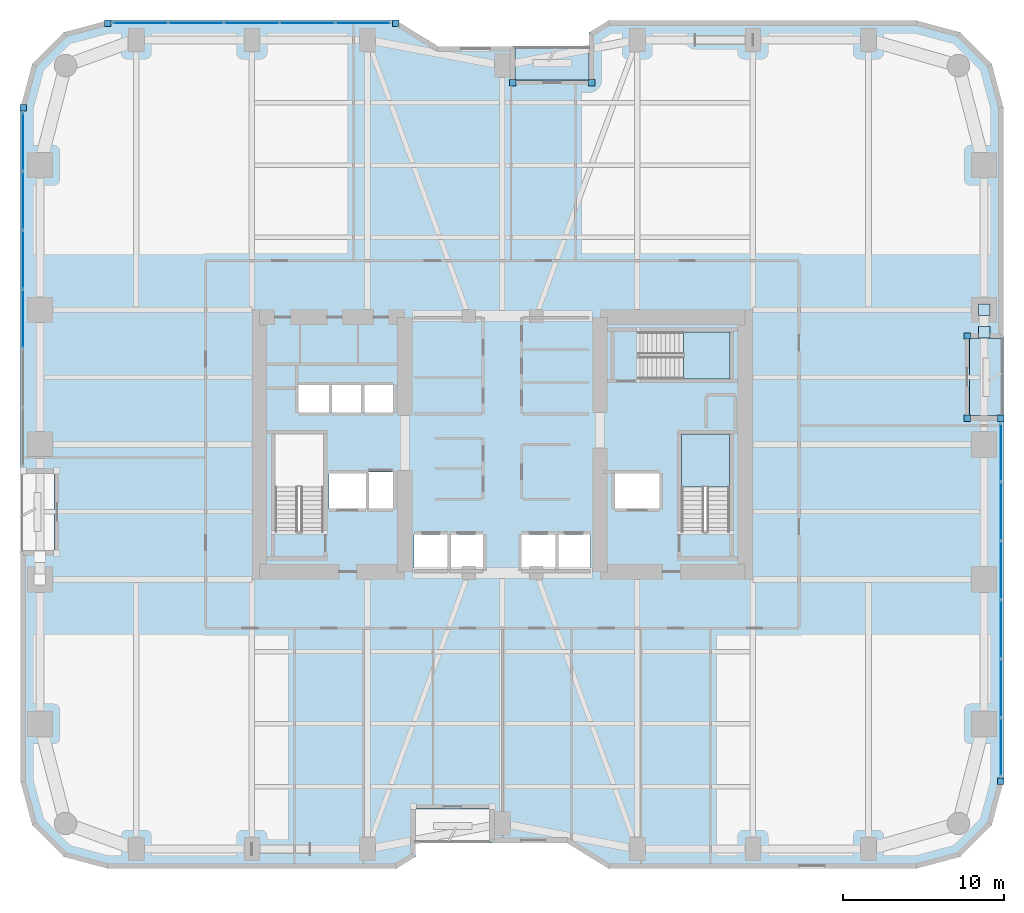
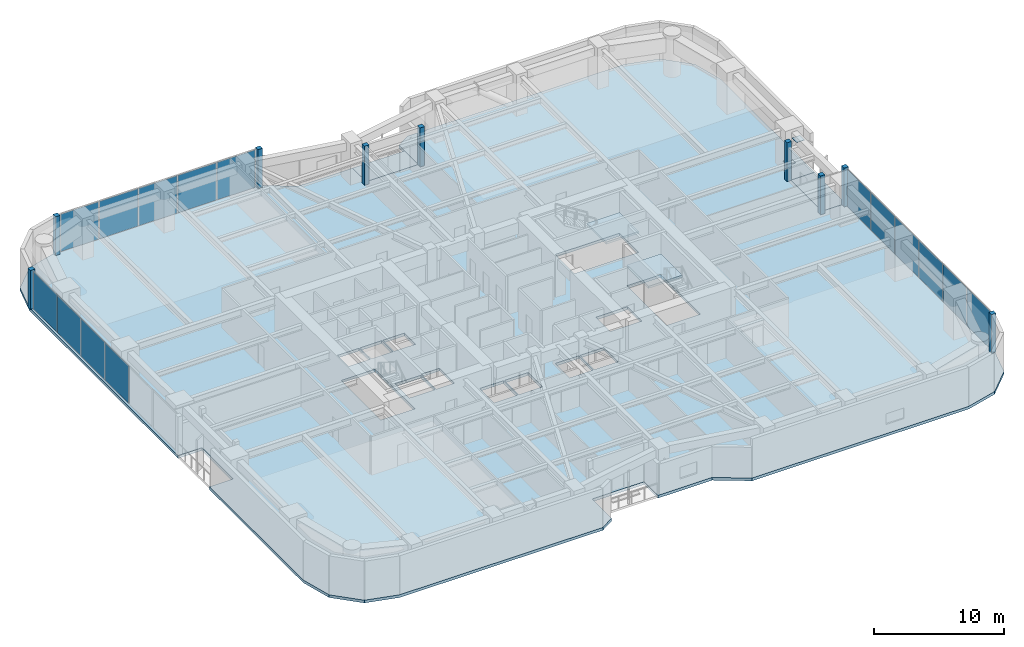
# One storey, part 20 of 28: 26 plates, 5 slabs, 5 elements without a shape of their own.
"""IFC4 building model written with IfcOpenShell, lengths in metres."""

from ifc_helpers import new_model, si_unit, direction, frame, origin, origin_2d, place, context, subcontext, project, spatial, polyline, rectangle, outline, extrude, material, layer, layer_set, type_object, element, aggregate, save


model = new_model("IFC4")

# Units and contexts
model_context = context("Model", 3, precision=1e-05, world=origin(), true_north=direction((0.0, 1.0)))
body_context = subcontext(model_context, "Body", "Model", "MODEL_VIEW")
ifc_project = project(units=[si_unit("LENGTHUNIT", "METRE"), si_unit("AREAUNIT", "SQUARE_METRE"), si_unit("VOLUMEUNIT", "CUBIC_METRE"), si_unit("PLANEANGLEUNIT", "RADIAN"), si_unit("MASSUNIT", "GRAM", prefix="KILO")], contexts=[model_context])

# Site, building, storey
site_placement = place(None, origin())
site = spatial("IfcSite", under=ifc_project, at=site_placement, CompositionType="ELEMENT")
building_placement = place(site_placement, origin())
building = spatial("IfcBuilding", under=site, at=building_placement, Name="Kiyonajd Concourse Tower", CompositionType="ELEMENT")
storey_placement = place(building_placement, frame((0.0, 0.0, 60.60009765625)))
storey = spatial("IfcBuildingStorey", under=building, at=storey_placement, Name="L16", CompositionType="ELEMENT", Elevation=60.60009765625)

# Plates
ifc_material_1 = material(Name="Steel ASTM A572 Grade 50", Category="steel")
ifc_layer_1 = layer(ifc_material_1, 0.028076171875)
ifc_layer_set_1 = layer_set([ifc_layer_1], Name="Steel ASTM A572 Grade 50")
plate_type_1 = type_object("IfcPlateType", Name="PL-CAP-450", PredefinedType="USERDEFINED", material=ifc_layer_set_1)
for number, where, z_axis, x_axis, name in (
    (1, (78.0, 44.40478515625, 0.27587890625), (0.0, 0.0, 1.0), (1.0, 0.0, 0.0), "L16 Hollow Brace End Cap Plate PBE"),
    (2, (78.0, 42.995361328125, 3.28564453125), (0.0, 0.0, 1.0), (1.0, 0.0, 0.0), "L16 Hollow Brace Top Cap Plate PBE"),
):
    element("IfcPlate", number, at=place(storey_placement, frame(where, z_axis=z_axis, x_axis=x_axis)), inside=storey, type_object=plate_type_1, Name=name, ObjectType="CAP PLATE", PredefinedType="USERDEFINED", context=body_context, shape_type="SweptSolid", body=[
        extrude(rectangle(XDim=0.7099609375, YDim=0.7099609375, at=origin_2d()), origin(), (0.0, 0.0, 1.0), 0.028076171875),
    ])

# Curtain wall, plates
ifc_material_2 = material(Name="Thermally Broken Anodised Aluminium", Category="aluminium")
ifc_layer_2 = layer(ifc_material_2, 0.179931640625)
ifc_layer_set_2 = layer_set([ifc_layer_2], Name="Thermally Broken Anodised Aluminium")
curtain_wall_type = type_object("IfcCurtainWallType", Name="CW-SYS-02", PredefinedType="NOTDEFINED", material=ifc_layer_set_2)
curtain_wall_1_placement = place(storey_placement, origin())
curtain_wall_1 = element("IfcCurtainWall", 3, at=curtain_wall_1_placement, inside=storey, type_object=curtain_wall_type, Name="L16 Unitised Curtain Wall CW2", PredefinedType="NOTDEFINED")
ifc_material_3 = material(Name="Double Low-E Insulated Glass", Category="glass")
ifc_layer_3 = layer(ifc_material_3, 0.028076171875)
ifc_layer_set_3 = layer_set([ifc_layer_3], Name="Double Low-E Insulated Glass")
plate_type_2 = type_object("IfcPlateType", Name="PL-CW-VIS28", PredefinedType="CURTAIN_PANEL", material=ifc_layer_set_3)
plate_1_placement = place(storey_placement, frame((18.159912109375, 43.832763671875, 0.06494140625), z_axis=(0.0, 0.0, 1.0), x_axis=(0.0, 1.0, 0.0)))
plate_1 = element("IfcPlate", 4, at=plate_1_placement, type_object=plate_type_2, Name="CW2 panel 3.1", PredefinedType="CURTAIN_PANEL", context=body_context, shape_type="SweptSolid", body=[
    extrude(rectangle(XDim=3.608154296875, YDim=0.028076171875, at=origin_2d()), origin(), (0.0, 0.0, 1.0), 3.510009765625),
])
plate_2_placement = place(storey_placement, frame((18.159912109375, 47.506103515625, 0.06494140625), z_axis=(0.0, 0.0, 1.0), x_axis=(0.0, 1.0, 0.0)))
plate_2 = element("IfcPlate", 5, at=plate_2_placement, type_object=plate_type_2, Name="CW2 panel 4.1", PredefinedType="CURTAIN_PANEL", context=body_context, shape_type="SweptSolid", body=[
    extrude(rectangle(XDim=3.608154296875, YDim=0.028076171875, at=origin_2d()), origin(), (0.0, 0.0, 1.0), 3.510009765625),
])
plate_3_placement = place(storey_placement, frame((18.159912109375, 51.17919921875, 0.06494140625), z_axis=(0.0, 0.0, 1.0), x_axis=(0.0, 1.0, 0.0)))
plate_3 = element("IfcPlate", 6, at=plate_3_placement, type_object=plate_type_2, Name="CW2 panel 5.1", PredefinedType="CURTAIN_PANEL", context=body_context, shape_type="SweptSolid", body=[
    extrude(rectangle(XDim=3.608154296875, YDim=0.028076171875, at=origin_2d()), origin(), (0.0, 0.0, 1.0), 3.510009765625),
])
plate_4_placement = place(storey_placement, frame((18.159912109375, 54.836181640625, 0.06494140625), z_axis=(0.0, 0.0, 1.0), x_axis=(0.0, 1.0, 0.0)))
plate_4 = element("IfcPlate", 7, at=plate_4_placement, type_object=plate_type_2, Name="CW2 panel 6.1", PredefinedType="CURTAIN_PANEL", context=body_context, shape_type="SweptSolid", body=[
    extrude(rectangle(XDim=3.57568359375, YDim=0.028076171875, at=origin_2d()), origin(), (0.0, 0.0, 1.0), 3.510009765625),
])
aggregate(curtain_wall_1, [plate_1, plate_2, plate_3, plate_4])

curtain_wall_2_placement = place(storey_placement, origin())
curtain_wall_2 = element("IfcCurtainWall", 8, at=curtain_wall_2_placement, inside=storey, type_object=curtain_wall_type, Name="L16 Unitised Curtain Wall CW2", PredefinedType="NOTDEFINED")
plate_5_placement = place(storey_placement, frame((25.462646484375, 62.239990234375, 0.06494140625), z_axis=(0.0, 0.0, 1.0), x_axis=(1.0, 0.0, 0.0)))
plate_5 = element("IfcPlate", 9, at=plate_5_placement, type_object=plate_type_2, Name="CW2 panel 1.1", PredefinedType="CURTAIN_PANEL", context=body_context, shape_type="SweptSolid", body=[
    extrude(rectangle(XDim=3.373291015625, YDim=0.028076171875, at=origin_2d()), origin(), (0.0, 0.0, 1.0), 3.510009765625),
])
plate_6_placement = place(storey_placement, frame((28.917236328125, 62.239990234375, 0.06494140625), z_axis=(0.0, 0.0, 1.0), x_axis=(1.0, 0.0, 0.0)))
plate_6 = element("IfcPlate", 10, at=plate_6_placement, type_object=plate_type_2, Name="CW2 panel 2.1", PredefinedType="CURTAIN_PANEL", context=body_context, shape_type="SweptSolid", body=[
    extrude(rectangle(XDim=3.40576171875, YDim=0.028076171875, at=origin_2d()), origin(), (0.0, 0.0, 1.0), 3.510009765625),
])
plate_7_placement = place(storey_placement, frame((32.387939453125, 62.239990234375, 0.06494140625), z_axis=(0.0, 0.0, 1.0), x_axis=(1.0, 0.0, 0.0)))
plate_7 = element("IfcPlate", 11, at=plate_7_placement, type_object=plate_type_2, Name="CW2 panel 3.1", PredefinedType="CURTAIN_PANEL", context=body_context, shape_type="SweptSolid", body=[
    extrude(rectangle(XDim=3.40576171875, YDim=0.028076171875, at=origin_2d()), origin(), (0.0, 0.0, 1.0), 3.510009765625),
])
plate_8_placement = place(storey_placement, frame((35.858642578125, 62.239990234375, 0.06494140625), z_axis=(0.0, 0.0, 1.0), x_axis=(1.0, 0.0, 0.0)))
plate_8 = element("IfcPlate", 12, at=plate_8_placement, type_object=plate_type_2, Name="CW2 panel 4.1", PredefinedType="CURTAIN_PANEL", context=body_context, shape_type="SweptSolid", body=[
    extrude(rectangle(XDim=3.40576171875, YDim=0.028076171875, at=origin_2d()), origin(), (0.0, 0.0, 1.0), 3.510009765625),
])
plate_9_placement = place(storey_placement, frame((39.31298828125, 62.239990234375, 0.06494140625), z_axis=(0.0, 0.0, 1.0), x_axis=(1.0, 0.0, 0.0)))
plate_9 = element("IfcPlate", 13, at=plate_9_placement, type_object=plate_type_2, Name="CW2 panel 5.1", PredefinedType="CURTAIN_PANEL", context=body_context, shape_type="SweptSolid", body=[
    extrude(rectangle(XDim=3.373291015625, YDim=0.028076171875, at=origin_2d()), origin(), (0.0, 0.0, 1.0), 3.510009765625),
])
aggregate(curtain_wall_2, [plate_5, plate_6, plate_7, plate_8, plate_9])

curtain_wall_3_placement = place(storey_placement, origin())
curtain_wall_3 = element("IfcCurtainWall", 14, at=curtain_wall_3_placement, inside=storey, type_object=curtain_wall_type, Name="L16 Unitised Curtain Wall CW2", PredefinedType="NOTDEFINED")
plate_10_placement = place(storey_placement, frame((79.0400390625, 35.4970703125, 0.06494140625), z_axis=(0.0, 0.0, 1.0), x_axis=(0.0, -1.0, 0.0)))
plate_10 = element("IfcPlate", 15, at=plate_10_placement, type_object=plate_type_2, Name="CW2 panel 1.1", PredefinedType="CURTAIN_PANEL", context=body_context, shape_type="SweptSolid", body=[
    extrude(rectangle(XDim=3.57568359375, YDim=0.028076171875, at=origin_2d()), origin(), (0.0, 0.0, 1.0), 3.510009765625),
])
plate_11_placement = place(storey_placement, frame((79.0400390625, 31.84033203125, 0.06494140625), z_axis=(0.0, 0.0, 1.0), x_axis=(0.0, -1.0, 0.0)))
plate_11 = element("IfcPlate", 16, at=plate_11_placement, type_object=plate_type_2, Name="CW2 panel 2.1", PredefinedType="CURTAIN_PANEL", context=body_context, shape_type="SweptSolid", body=[
    extrude(rectangle(XDim=3.608154296875, YDim=0.028076171875, at=origin_2d()), origin(), (0.0, 0.0, 1.0), 3.510009765625),
])
plate_12_placement = place(storey_placement, frame((79.0400390625, 28.167236328125, 0.06494140625), z_axis=(0.0, 0.0, 1.0), x_axis=(0.0, -1.0, 0.0)))
plate_12 = element("IfcPlate", 17, at=plate_12_placement, type_object=plate_type_2, Name="CW2 panel 3.1", PredefinedType="CURTAIN_PANEL", context=body_context, shape_type="SweptSolid", body=[
    extrude(rectangle(XDim=3.608154296875, YDim=0.028076171875, at=origin_2d()), origin(), (0.0, 0.0, 1.0), 3.510009765625),
])
plate_13_placement = place(storey_placement, frame((79.0400390625, 24.493896484375, 0.06494140625), z_axis=(0.0, 0.0, 1.0), x_axis=(0.0, -1.0, 0.0)))
plate_13 = element("IfcPlate", 18, at=plate_13_placement, type_object=plate_type_2, Name="CW2 panel 4.1", PredefinedType="CURTAIN_PANEL", context=body_context, shape_type="SweptSolid", body=[
    extrude(rectangle(XDim=3.608154296875, YDim=0.028076171875, at=origin_2d()), origin(), (0.0, 0.0, 1.0), 3.510009765625),
])
plate_14_placement = place(storey_placement, frame((79.0400390625, 20.82080078125, 0.06494140625), z_axis=(0.0, 0.0, 1.0), x_axis=(0.0, -1.0, 0.0)))
plate_14 = element("IfcPlate", 19, at=plate_14_placement, type_object=plate_type_2, Name="CW2 panel 5.1", PredefinedType="CURTAIN_PANEL", context=body_context, shape_type="SweptSolid", body=[
    extrude(rectangle(XDim=3.608154296875, YDim=0.028076171875, at=origin_2d()), origin(), (0.0, 0.0, 1.0), 3.510009765625),
])
plate_15_placement = place(storey_placement, frame((79.0400390625, 17.163818359375, 0.06494140625), z_axis=(0.0, 0.0, 1.0), x_axis=(0.0, -1.0, 0.0)))
plate_15 = element("IfcPlate", 20, at=plate_15_placement, type_object=plate_type_2, Name="CW2 panel 6.1", PredefinedType="CURTAIN_PANEL", context=body_context, shape_type="SweptSolid", body=[
    extrude(rectangle(XDim=3.57568359375, YDim=0.028076171875, at=origin_2d()), origin(), (0.0, 0.0, 1.0), 3.510009765625),
])
aggregate(curtain_wall_3, [plate_10, plate_11, plate_12, plate_13, plate_14, plate_15])

# Plates
ifc_layer_4 = layer(ifc_material_2, 0.39990234375)
ifc_layer_set_4 = layer_set([ifc_layer_4], Name="Thermally Broken Anodised Aluminium")
plate_type_3 = type_object("IfcPlateType", Name="PL-JMB-400", PredefinedType="USERDEFINED", material=ifc_layer_set_4)
for number, where, z_axis, x_axis, name in (
    (21, (18.159912109375, 56.97900390625, 0.0), (0.0, 0.0, 1.0), (1.0, 0.0, 0.0), "L16 Facade Jamb Closure Plate 04"),
    (22, (23.421142578125, 62.239990234375, 0.0), (0.0, 0.0, 1.0), (1.0, 0.0, 0.0), "L16 Facade Jamb Closure Plate 05"),
    (23, (41.354736328125, 62.239990234375, 0.0), (0.0, 0.0, 1.0), (1.0, 0.0, 0.0), "L16 Facade Jamb Closure Plate 06"),
    (24, (48.639892578125, 58.5400390625, 0.0), (0.0, 0.0, 1.0), (1.0, 0.0, 0.0), "L16 Facade Jamb Closure Plate 07"),
    (25, (53.56005859375, 58.5400390625, 0.0), (0.0, 0.0, 1.0), (1.0, 0.0, 0.0), "L16 Facade Jamb Closure Plate 08"),
    (26, (76.93994140625, 42.760009765625, 0.0), (0.0, 0.0, 1.0), (1.0, 0.0, 0.0), "L16 Facade Jamb Closure Plate 09"),
    (27, (76.93994140625, 37.639892578125, 0.0), (0.0, 0.0, 1.0), (1.0, 0.0, 0.0), "L16 Facade Jamb Closure Plate 10"),
    (28, (79.0400390625, 37.639892578125, 0.0), (0.0, 0.0, 1.0), (1.0, 0.0, 0.0), "L16 Facade Jamb Closure Plate 11"),
    (29, (79.0400390625, 15.02099609375, 0.0), (0.0, 0.0, 1.0), (1.0, 0.0, 0.0), "L16 Facade Jamb Closure Plate 12"),
):
    element("IfcPlate", number, at=place(storey_placement, frame(where, z_axis=z_axis, x_axis=x_axis)), inside=storey, type_object=plate_type_3, Name=name, ObjectType="JAMB PLATE", PredefinedType="USERDEFINED", context=body_context, shape_type="SweptSolid", body=[
        extrude(rectangle(XDim=0.39990234375, YDim=0.39990234375, at=origin_2d()), origin(), (0.0, 0.0, 1.0), 3.639892578125),
    ])

# Stair, slab
ifc_material_4 = material(Name="Concrete C40/50", Category="concrete")
stair_type = type_object("IfcStairType", Name="ST-DLG-22R", PredefinedType="HALF_TURN_STAIR", material=ifc_material_4)
stair_1_placement = place(storey_placement, origin())
stair_1 = element("IfcStair", 30, at=stair_1_placement, inside=storey, type_object=stair_type, Name="L16 Protected Exit Stair ST2", PredefinedType="HALF_TURN_STAIR")
ifc_layer_5 = layer(ifc_material_4, 0.199951171875)
ifc_layer_set_5 = layer_set([ifc_layer_5], Name="Concrete C40/50")
slab_type_1 = type_object("IfcSlabType", Name="SL-LND-200", PredefinedType="LANDING", material=ifc_layer_set_5)
slab_1_placement = place(storey_placement, frame((0.0, 0.0, 1.75)))
slab_1 = element("IfcSlab", 31, at=slab_1_placement, type_object=slab_type_1, Name="ST2 landing 1", PredefinedType="LANDING", context=body_context, shape_type="SweptSolid", body=[
    extrude(outline(polyline([(62.14990234375, 33.35009765625), (62.14990234375, 36.64990234375), (59.14990234375, 36.64990234375), (59.14990234375, 33.35009765625), (62.14990234375, 33.35009765625)])), origin(), (0.0, 0.0, 1.0), 0.199951171875),
])
aggregate(stair_1, [slab_1])

stair_2_placement = place(storey_placement, origin())
stair_2 = element("IfcStair", 32, at=stair_2_placement, inside=storey, type_object=stair_type, Name="L16 Protected Exit Stair ST3", PredefinedType="HALF_TURN_STAIR")
slab_2_placement = place(storey_placement, frame((0.0, 0.0, 1.75)))
slab_2 = element("IfcSlab", 33, at=slab_2_placement, type_object=slab_type_1, Name="ST3 landing 1", PredefinedType="LANDING", context=body_context, shape_type="SweptSolid", body=[
    extrude(outline(polyline([(59.280029296875, 40.080078125), (62.179931640625, 40.080078125), (62.179931640625, 43.02001953125), (59.280029296875, 43.02001953125), (59.280029296875, 40.080078125)])), origin(), (0.0, 0.0, 1.0), 0.199951171875),
])
aggregate(stair_2, [slab_2])

# Slabs
ifc_material_5 = material(Name="Precast concrete C50/60", Category="concrete")
ifc_layer_6 = layer(ifc_material_5, 0.199951171875)
ifc_layer_set_6 = layer_set([ifc_layer_6], Name="Precast concrete C50/60")
slab_type_2 = type_object("IfcSlabType", Name="SL-LOG-200", PredefinedType="FLOOR", material=ifc_layer_set_6)
slab_3_placement = place(storey_placement, frame((0.0, 0.0, -0.2001953125)))
element("IfcSlab", 34, at=slab_3_placement, inside=storey, type_object=slab_type_2, Name="L16 Recessed Engawa Loggia Terrace Slab LOG-N", PredefinedType="FLOOR", context=body_context, shape_type="SweptSolid", body=[
    extrude(outline(polyline([(48.800048828125, 58.699951171875), (53.39990234375, 58.699951171875), (53.39990234375, 60.800048828125), (48.800048828125, 60.800048828125), (48.800048828125, 58.699951171875)])), origin(), (0.0, 0.0, 1.0), 0.2001953125),
])
slab_4_placement = place(storey_placement, frame((0.0, 0.0, -0.2001953125)))
element("IfcSlab", 35, at=slab_4_placement, inside=storey, type_object=slab_type_2, Name="L16 Recessed Engawa Loggia Terrace Slab LOG-E", PredefinedType="FLOOR", context=body_context, shape_type="SweptSolid", body=[
    extrude(outline(polyline([(77.10009765625, 37.800048828125), (79.199951171875, 37.800048828125), (79.199951171875, 42.60009765625), (77.10009765625, 42.60009765625), (77.10009765625, 37.800048828125)])), origin(), (0.0, 0.0, 1.0), 0.2001953125),
])
ifc_layer_7 = layer(ifc_material_4, 0.260009765625)
ifc_layer_set_7 = layer_set([ifc_layer_7], Name="Concrete C40/50")
slab_type_3 = type_object("IfcSlabType", Name="SL-TWR-260", PredefinedType="FLOOR", material=ifc_layer_set_7)
slab_5_placement = place(storey_placement, frame((0.0, 0.0, -0.260009765625)))
element("IfcSlab", 36, at=slab_5_placement, inside=storey, type_object=slab_type_3, Name="L16 Tower Conditioned Floor Slab", PredefinedType="FLOOR", context=body_context, shape_type="SweptSolid", body=[
    extrude(outline(polyline([(18.722900390625, 12.300048828125), (18.0, 15.0), (18.0, 29.39990234375), (20.10009765625, 29.39990234375), (20.10009765625, 34.199951171875), (18.0, 34.199951171875), (18.0, 57.0), (18.722900390625, 59.699951171875), (20.699951171875, 61.677001953125), (23.39990234375, 62.39990234375), (41.39990234375, 62.39990234375), (44.0, 60.800048828125), (48.800048828125, 60.800048828125), (48.800048828125, 58.699951171875), (53.39990234375, 58.699951171875), (53.39990234375, 61.662109375), (54.60009765625, 62.39990234375), (73.800048828125, 62.39990234375), (76.5, 61.677001953125), (78.47705078125, 59.699951171875), (79.199951171875, 57.0), (79.199951171875, 42.60009765625), (77.10009765625, 42.60009765625), (77.10009765625, 37.800048828125), (79.199951171875, 37.800048828125), (79.199951171875, 15.0), (78.47705078125, 12.300048828125), (76.5, 10.322998046875), (73.800048828125, 9.60009765625), (54.60009765625, 9.60009765625), (52.0, 11.199951171875), (47.199951171875, 11.199951171875), (47.199951171875, 13.300048828125), (42.60009765625, 13.300048828125), (42.60009765625, 10.337890625), (41.39990234375, 9.60009765625), (23.39990234375, 9.60009765625), (20.699951171875, 10.322998046875), (18.722900390625, 12.300048828125)]), holes=[polyline([(44.60009765625, 28.199951171875), (42.5, 28.199951171875), (42.5, 30.39990234375), (44.60009765625, 30.39990234375), (44.60009765625, 28.199951171875)]), polyline([(37.199951171875, 32.0), (37.199951171875, 34.199951171875), (39.5, 34.199951171875), (39.5, 32.0), (37.199951171875, 32.0)]), polyline([(39.60009765625, 32.0), (39.60009765625, 34.300048828125), (41.199951171875, 34.300048828125), (41.199951171875, 32.0), (39.60009765625, 32.0)]), polyline([(36.85009765625, 30.550048828125), (33.85009765625, 30.550048828125), (33.85009765625, 36.64990234375), (36.85009765625, 36.64990234375), (36.85009765625, 30.550048828125)]), polyline([(35.300048828125, 38.0), (35.300048828125, 39.699951171875), (37.199951171875, 39.699951171875), (37.199951171875, 38.0), (35.300048828125, 38.0)]), polyline([(37.300048828125, 38.0), (37.300048828125, 39.699951171875), (39.199951171875, 39.699951171875), (39.199951171875, 38.0), (37.300048828125, 38.0)]), polyline([(41.199951171875, 38.0), (39.300048828125, 38.0), (39.300048828125, 39.699951171875), (41.199951171875, 39.699951171875), (41.199951171875, 38.0)]), polyline([(44.699951171875, 28.199951171875), (44.699951171875, 30.39990234375), (46.800048828125, 30.39990234375), (46.800048828125, 28.199951171875), (44.699951171875, 28.199951171875)]), polyline([(49.199951171875, 28.199951171875), (49.199951171875, 30.39990234375), (51.300048828125, 30.39990234375), (51.300048828125, 28.199951171875), (49.199951171875, 28.199951171875)]), polyline([(51.39990234375, 28.199951171875), (51.39990234375, 30.39990234375), (53.5, 30.39990234375), (53.5, 28.199951171875), (51.39990234375, 28.199951171875)]), polyline([(55.0, 32.0), (55.0, 34.199951171875), (57.800048828125, 34.199951171875), (57.800048828125, 32.0), (55.0, 32.0)]), polyline([(59.14990234375, 30.550048828125), (59.14990234375, 36.64990234375), (62.14990234375, 36.64990234375), (62.14990234375, 30.550048828125), (59.14990234375, 30.550048828125)]), polyline([(56.47998046875, 43.02001953125), (62.179931640625, 43.02001953125), (62.179931640625, 40.080078125), (56.47998046875, 40.080078125), (56.47998046875, 43.02001953125)])]), origin(), (0.0, 0.0, 1.0), 0.260009765625),
])

save(model, "model.ifc")
